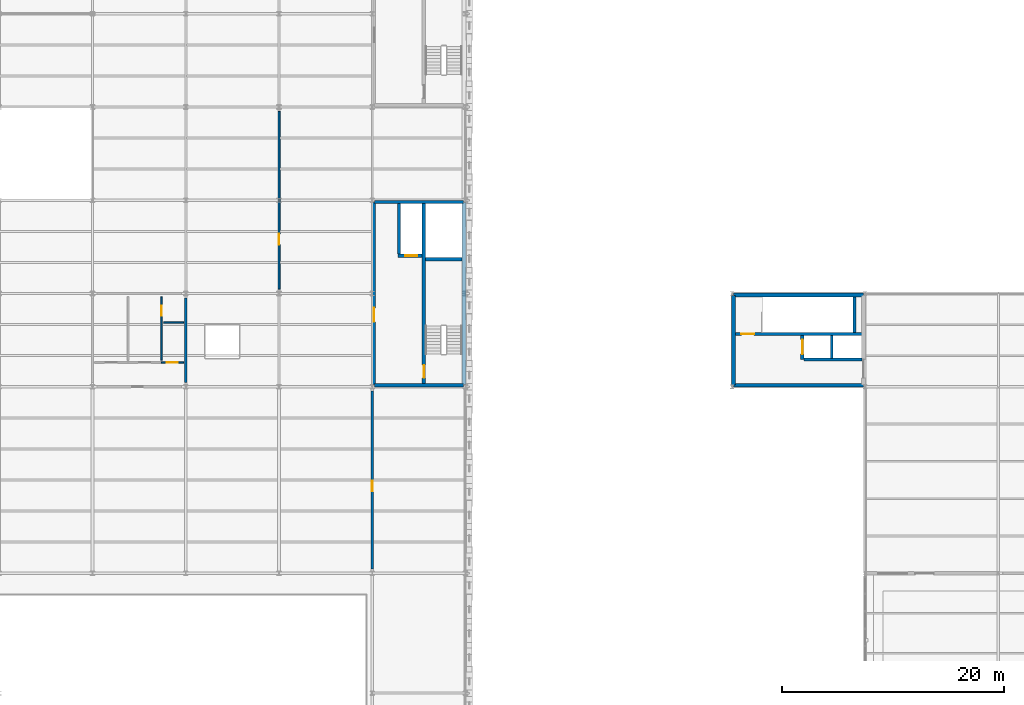
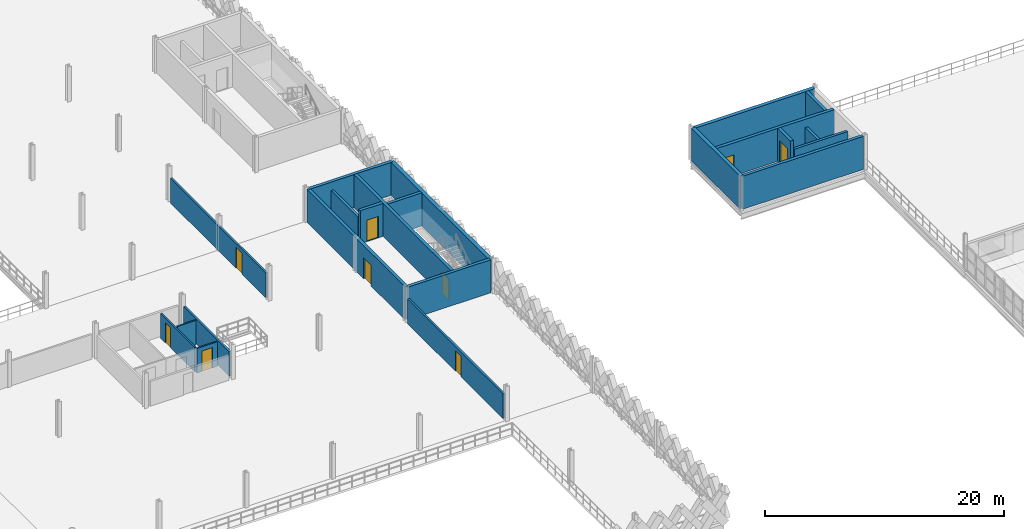
# One storey, part 60 of 74: 22 walls, 9 doors, 9 openings.
"""IFC4 building model written with IfcOpenShell, lengths in metres."""

import ifcopenshell
import ifcopenshell.guid

model = None  # the IFC model being written
_history = None  # IfcOwnerHistory: only IFC2X3 demands one
_inside = {}  # id of a spatial element -> (the spatial element, [elements in it])
_under = {}  # id of a project, library or spatial element -> (it, [spatial elements below it])
_declared = {}  # id of a project -> (the project, [libraries it declares])
_typed = {}  # id of a type object -> (the type object, [elements of that type])
_made_of = {}  # id of a material, layer set ... -> (it, [elements and type objects made of it])


def new_model(schema):
    """Start an empty IFC model of exactly this schema.

    Asked for "IFC4X3", IfcOpenShell would pick the latest addendum, in which some entities
    have other attributes; the version numbers below select the first issue.
    IFC2X3 requires an IfcOwnerHistory on every rooted entity: one is made here for all.
    """
    global model, _history
    if schema == "IFC4X3":
        model = ifcopenshell.file(schema_version=(4, 3, 0, 0))
    else:
        model = ifcopenshell.file(schema=schema)
    _inside.clear()
    _under.clear()
    _declared.clear()
    _typed.clear()
    _made_of.clear()
    _history = None
    if model.schema == "IFC2X3":
        org = make("IfcOrganization", Name="unknown")
        user = make(
            "IfcPersonAndOrganization",
            ThePerson=make("IfcPerson", FamilyName="unknown"),
            TheOrganization=org,
        )
        app = make(
            "IfcApplication",
            ApplicationDeveloper=org,
            Version="unknown",
            ApplicationFullName="unknown",
            ApplicationIdentifier="unknown",
        )
        _history = make(
            "IfcOwnerHistory",
            OwningUser=user,
            OwningApplication=app,
            ChangeAction="ADDED",
            CreationDate=0,
        )
    return model


def make(cls, **values):
    """One entity of the class cls with the attributes given. An attribute that is None is left unset."""
    return model.create_entity(
        cls, **{name: value for name, value in values.items() if value is not None}
    )


def rooted(cls, **values):
    """An entity with a GlobalId (a new one), such as an element, a storey or a relation."""
    return make(cls, GlobalId=ifcopenshell.guid.new(), OwnerHistory=_history, **values)


def si_unit(unit_type, name, prefix=None):
    """IfcSIUnit, for example si_unit("LENGTHUNIT", "METRE", prefix="MILLI")."""
    return make("IfcSIUnit", UnitType=unit_type, Prefix=prefix, Name=name)


def assignment(units):
    """IfcUnitAssignment: the units of a project."""
    return None if units is None else make("IfcUnitAssignment", Units=units)


def point(xyz):
    """IfcCartesianPoint."""
    return None if xyz is None else make("IfcCartesianPoint", Coordinates=xyz)


def direction(xyz):
    """IfcDirection."""
    return None if xyz is None else make("IfcDirection", DirectionRatios=xyz)


def frame(location, z_axis=None, x_axis=None):
    """IfcAxis2Placement3D, a coordinate frame: its origin and axes. An axis left out is left unset."""
    return make(
        "IfcAxis2Placement3D",
        Location=point(location),
        Axis=direction(z_axis),
        RefDirection=direction(x_axis),
    )


def frame_2d(location, x_axis=None):
    """IfcAxis2Placement2D, a coordinate frame in the plane: its origin and x axis."""
    return make(
        "IfcAxis2Placement2D", Location=point(location), RefDirection=direction(x_axis)
    )


def origin():
    """The frame at (0, 0, 0) with its axes left unset."""
    return frame((0.0, 0.0, 0.0))


def place(relative_to, where):
    """IfcLocalPlacement: puts the frame where relative to a parent placement (None: the world)."""
    return make(
        "IfcLocalPlacement", PlacementRelTo=relative_to, RelativePlacement=where
    )


def context(
    kind, dimensions, precision=None, world=None, true_north=None, identifier=None
):
    """IfcGeometricRepresentationContext, for example the 3D "Model" context."""
    return make(
        "IfcGeometricRepresentationContext",
        ContextIdentifier=identifier,
        ContextType=kind,
        CoordinateSpaceDimension=dimensions,
        Precision=precision,
        WorldCoordinateSystem=world,
        TrueNorth=true_north,
    )


def subcontext(parent, identifier, kind, view, scale=None):
    """IfcGeometricRepresentationSubContext, for example "Body" below "Model"."""
    return make(
        "IfcGeometricRepresentationSubContext",
        ContextIdentifier=identifier,
        ContextType=kind,
        ParentContext=parent,
        TargetScale=scale,
        TargetView=view,
    )


def project(units=None, contexts=None):
    """IfcProject with its units and contexts."""
    return rooted(
        "IfcProject",
        Name="project",
        RepresentationContexts=contexts,
        UnitsInContext=assignment(units),
    )


def spatial(cls, under=None, at=None, **own):
    """A site, building, storey or space (cls), placed at a placement, below another one or the project."""
    s = rooted(cls, ObjectPlacement=at, **own)
    if under is not None:
        _under.setdefault(under.id(), (under, []))[1].append(s)
    return s


def profile(cls, at=None, kind="AREA", **sizes):
    """A parametric profile (cls). Its sizes go by their IFC names, for example OverallWidth=200.0."""
    return make(cls, ProfileType=kind, Position=at, **sizes)


def rectangle(**sizes):
    """IfcRectangleProfileDef."""
    return profile("IfcRectangleProfileDef", **sizes)


def extrude(swept, where, along, depth):
    """IfcExtrudedAreaSolid: the profile swept, set in the frame where, extruded along a direction by depth."""
    return make(
        "IfcExtrudedAreaSolid",
        SweptArea=swept,
        Position=where,
        ExtrudedDirection=direction(along),
        Depth=depth,
    )


def shape(context_of_items, identifier, shape_type, items):
    """IfcShapeRepresentation: the items that make up one representation, for example the "Body"."""
    return make(
        "IfcShapeRepresentation",
        ContextOfItems=context_of_items,
        RepresentationIdentifier=identifier,
        RepresentationType=shape_type,
        Items=items,
    )


def material(Name=None, Category=None):
    """IfcMaterial."""
    return make("IfcMaterial", Name=Name, Category=Category)


def layer(
    of_material, thickness, ventilated=None, Name=None, Category=None, Priority=None
):
    """IfcMaterialLayer: one layer of a wall or slab, of a material (None: an air gap)."""
    return make(
        "IfcMaterialLayer",
        Material=of_material,
        LayerThickness=thickness,
        IsVentilated=ventilated,
        Name=Name,
        Category=Category,
        Priority=Priority,
    )


def layer_set(layers, Name=None):
    """IfcMaterialLayerSet."""
    return make("IfcMaterialLayerSet", MaterialLayers=layers, LayerSetName=Name)


def made_of(thing, what):
    """Note that an element or type object is made of a material, layer set ...; save() writes the relation."""
    if what is not None:
        _made_of.setdefault(what.id(), (what, []))[1].append(thing)
    return thing


def type_object(cls, material=None, **own):
    """A type object (cls), such as IfcWallType, which elements share."""
    return made_of(rooted(cls, **own), material)


def element(
    cls,
    number,
    at=None,
    inside=None,
    cuts=None,
    type_object=None,
    material=None,
    context=None,
    identifier="Body",
    shape_type=None,
    held_by="IfcProductDefinitionShape",
    body=None,
    shapes=None,
    **own,
):
    """One element of the class cls, such as IfcWall. Its Tag is "e" and its number.

    at: its placement. inside: the storey or other place that contains it. cuts: it is an
    opening in that element (IfcRelVoidsElement). A single representation is given by context,
    identifier, shape_type and body (its items); several are given by shapes. held_by: the class
    of the entity that holds the representations. save() writes the other relations.
    """
    e = rooted(cls, Tag="e%d" % number, ObjectPlacement=at, **own)
    if body is not None:
        shapes = [shape(context, identifier, shape_type, body)]
    if shapes is not None:
        e.Representation = make(held_by, Representations=shapes)
    if inside is not None:
        _inside.setdefault(inside.id(), (inside, []))[1].append(e)
    if cuts is not None:
        rooted(
            "IfcRelVoidsElement", RelatingBuildingElement=cuts, RelatedOpeningElement=e
        )
    if type_object is not None:
        _typed.setdefault(type_object.id(), (type_object, []))[1].append(e)
    return made_of(e, material)


def fill(opening, filler):
    """IfcRelFillsElement: the door or window that sits in an opening."""
    return rooted(
        "IfcRelFillsElement",
        RelatingOpeningElement=opening,
        RelatedBuildingElement=filler,
    )


def aggregate(whole, parts):
    """IfcRelAggregates: a whole, such as a stair, and the parts it consists of."""
    return rooted("IfcRelAggregates", RelatingObject=whole, RelatedObjects=parts)


def save(model, path):
    """Write the relations noted so far, then the file.

    IfcRelAggregates (storeys below a building ...), IfcRelContainedInSpatialStructure (elements
    in a storey), IfcRelDefinesByType, IfcRelAssociatesMaterial and IfcRelDeclares: one each for
    every whole, place, type object, material and project.
    """
    for whole, parts in _under.values():
        aggregate(whole, parts)
    for where, things in _inside.values():
        rooted(
            "IfcRelContainedInSpatialStructure",
            RelatedElements=things,
            RelatingStructure=where,
        )
    for kind, things in _typed.values():
        rooted("IfcRelDefinesByType", RelatedObjects=things, RelatingType=kind)
    for what, things in _made_of.values():
        rooted("IfcRelAssociatesMaterial", RelatedObjects=things, RelatingMaterial=what)
    for by, libraries in _declared.values():
        rooted("IfcRelDeclares", RelatingContext=by, RelatedDefinitions=libraries)
    model.write(path)


model = new_model("IFC4")

# Units and contexts
model_context = context("Model", 3, precision=1e-05, world=origin(), true_north=direction((0.0, 1.0)))
body_context = subcontext(model_context, "Body", "Model", "MODEL_VIEW")
ifc_project = project(units=[si_unit("LENGTHUNIT", "METRE"), si_unit("AREAUNIT", "SQUARE_METRE"), si_unit("VOLUMEUNIT", "CUBIC_METRE"), si_unit("PLANEANGLEUNIT", "RADIAN"), si_unit("MASSUNIT", "GRAM", prefix="KILO"), si_unit("THERMODYNAMICTEMPERATUREUNIT", "KELVIN"), si_unit("POWERUNIT", "WATT")], contexts=[model_context])

# Site, building, storey
site_placement = place(None, origin())
site = spatial("IfcSite", under=ifc_project, at=site_placement, CompositionType="ELEMENT")
building_placement = place(site_placement, origin())
building = spatial("IfcBuilding", under=site, at=building_placement, Name="Tembeka Court Mobility Hub", CompositionType="ELEMENT")
storey_placement = place(building_placement, frame((0.0, 0.0, 12.60009765625)))
storey = spatial("IfcBuildingStorey", under=building, at=storey_placement, Name="L03", CompositionType="ELEMENT", Elevation=12.60009765625)

# Walls
ifc_material_1 = material(Name="Concrete C40/50", Category="concrete")
ifc_layer_1 = layer(ifc_material_1, 0.25)
ifc_layer_set_1 = layer_set([ifc_layer_1], Name="Concrete C40/50")
wall_type_1 = type_object("IfcWallType", Name="WL-IW01", PredefinedType="PARTITIONING", material=ifc_layer_set_1)
wall_1_placement = place(storey_placement, frame((86.39990234375, 50.35009765625, 0.0), z_axis=(0.0, 0.0, 1.0), x_axis=(0.0, 1.0, 0.0)))
element("IfcWall", 1, at=wall_1_placement, inside=storey, type_object=wall_type_1, Name="Wall IW01 (IW-L03-0224)", PredefinedType="PARTITIONING", context=body_context, shape_type="SweptSolid", body=[
    extrude(rectangle(XDim=4.5498046875, YDim=0.25, at=frame_2d((2.27490234375, 0.0))), origin(), (0.0, 0.0, 1.0), 2.52490234375),
])
wall_2_placement = place(storey_placement, frame((122.89990234375, 40.85009765625, 0.0), z_axis=(0.0, 0.0, 1.0), x_axis=(1.0, 0.0, 0.0)))
element("IfcWall", 2, at=wall_2_placement, inside=storey, type_object=wall_type_1, Name="Wall IW01 (IW-L03-0292)", PredefinedType="PARTITIONING", context=body_context, shape_type="SweptSolid", body=[
    extrude(rectangle(XDim=5.2001953125, YDim=0.25, at=frame_2d((2.60009765625, 0.0))), origin(), (0.0, 0.0, 1.0), 2.52490234375),
])
wall_3_placement = place(storey_placement, frame((125.39990234375, 40.949951171875, 0.0), z_axis=(0.0, 0.0, 1.0), x_axis=(0.0, 1.0, 0.0)))
element("IfcWall", 3, at=wall_3_placement, inside=storey, type_object=wall_type_1, Name="Wall IW01 (IW-L03-0293)", PredefinedType="PARTITIONING", context=body_context, shape_type="SweptSolid", body=[
    extrude(rectangle(XDim=2.050048828125, YDim=0.25, at=frame_2d((1.02490234375, 0.0))), origin(), (0.0, 0.0, 1.0), 2.52490234375),
])
ifc_material_2 = material(Name="Concrete blockwork masonry", Category="masonry")
ifc_layer_2 = layer(ifc_material_2, 0.199951171875)
ifc_layer_set_2 = layer_set([ifc_layer_2], Name="Concrete blockwork masonry")
wall_type_2 = type_object("IfcWallType", Name="WL-IW02", PredefinedType="PARTITIONING", material=ifc_layer_set_2)
wall_4_placement = place(storey_placement, frame((67.199951171875, 38.800048828125, 0.0), z_axis=(0.0, 0.0, 1.0), x_axis=(0.0, 1.0, 0.0)))
element("IfcWall", 4, at=wall_4_placement, inside=storey, type_object=wall_type_2, Name="Wall IW02 (IW-L03-0379)", PredefinedType="PARTITIONING", context=body_context, shape_type="SweptSolid", body=[
    extrude(rectangle(XDim=7.599853515625, YDim=0.199951171875, at=frame_2d((3.7998046875, 0.0))), origin(), (0.0, 0.0, 1.0), 2.52490234375),
])

# Wall, opening, door
wall_5_placement = place(storey_placement, frame((84.0, 22.0, 0.0), z_axis=(0.0, 0.0, 1.0), x_axis=(0.0, 1.0, 0.0)))
wall_5 = element("IfcWall", 5, at=wall_5_placement, inside=storey, type_object=wall_type_2, Name="Wall IW02 (IW-L03-0441)", PredefinedType="PARTITIONING", context=body_context, shape_type="SweptSolid", body=[
    extrude(rectangle(XDim=16.0, YDim=0.199951171875, at=frame_2d((8.0, 0.0))), origin(), (0.0, 0.0, 1.0), 2.52490234375),
])
opening_1_placement = place(wall_5_placement, frame((7.0, 0.0, 0.0)))
opening_1 = element("IfcOpeningElement", 6, at=opening_1_placement, cuts=wall_5, Name="Opening ID01", PredefinedType="OPENING", context=body_context, shape_type="SweptSolid", body=[
    extrude(rectangle(XDim=0.949951171875, YDim=2.10009765625, at=frame_2d((0.47509765625, 1.050048828125))), frame((0.0, 0.10986328125, 0.0), z_axis=(0.0, -1.0, 0.0), x_axis=(1.0, 0.0, 0.0)), (0.0, 0.0, 1.0), 0.219970703125),
])
ifc_material_3 = material(Name="Powder-coated aluminium glazed doorset", Category="aluminium")
door_type_1 = type_object("IfcDoorType", Name="DR-ID01", OperationType="NOTDEFINED", PredefinedType="DOOR", material=ifc_material_3)
door_1_placement = place(opening_1_placement, origin())
door_1 = element("IfcDoor", 7, at=door_1_placement, inside=storey, type_object=door_type_1, Name="Door ID01-0214", OperationType="SINGLE_SWING_LEFT", OverallHeight=2.10009765625, OverallWidth=0.949951171875, PredefinedType="DOOR", context=body_context, shape_type="SweptSolid", body=[
    extrude(rectangle(XDim=0.949951171875, YDim=2.10009765625, at=frame_2d((0.47509765625, 1.050048828125))), frame((0.0, 0.02490234375, 0.0), z_axis=(0.0, -1.0, 0.0), x_axis=(1.0, 0.0, 0.0)), (0.0, 0.0, 1.0), 0.050048828125),
])
fill(opening_1, door_1)

ifc_layer_3 = layer(ifc_material_2, 0.179931640625)
ifc_layer_set_3 = layer_set([ifc_layer_3], Name="Concrete blockwork masonry")
wall_type_3 = type_object("IfcWallType", Name="WL-IW03", PredefinedType="PARTITIONING", material=ifc_layer_set_3)
wall_6_placement = place(storey_placement, frame((75.60009765625, 47.199951171875, 0.0), z_axis=(0.0, 0.0, 1.0), x_axis=(0.0, 1.0, 0.0)))
wall_6 = element("IfcWall", 8, at=wall_6_placement, inside=storey, type_object=wall_type_3, Name="Wall IW03 (IW-L03-0443)", PredefinedType="PARTITIONING", context=body_context, shape_type="SweptSolid", body=[
    extrude(rectangle(XDim=16.0, YDim=0.179931640625, at=frame_2d((8.0, 0.0))), origin(), (0.0, 0.0, 1.0), 2.52490234375),
])
opening_2_placement = place(wall_6_placement, frame((4.0, 0.0, 0.0)))
opening_2 = element("IfcOpeningElement", 9, at=opening_2_placement, cuts=wall_6, Name="Opening FD05", PredefinedType="OPENING", context=body_context, shape_type="SweptSolid", body=[
    extrude(rectangle(XDim=1.0, YDim=2.14990234375, at=frame_2d((0.5, 1.074951171875))), frame((0.0, 0.10009765625, 0.0), z_axis=(0.0, -1.0, 0.0), x_axis=(1.0, 0.0, 0.0)), (0.0, 0.0, 1.0), 0.199951171875),
])
ifc_material_4 = material(Name="Galvanised steel fire/shutter doorset", Category="steel")
door_type_2 = type_object("IfcDoorType", Name="DR-FD05", OperationType="NOTDEFINED", PredefinedType="DOOR", material=ifc_material_4)
door_2_placement = place(opening_2_placement, origin())
door_2 = element("IfcDoor", 10, at=door_2_placement, inside=storey, type_object=door_type_2, Name="Door FD05-0216", OperationType="SINGLE_SWING_LEFT", OverallHeight=2.14990234375, OverallWidth=1.0, PredefinedType="DOOR", context=body_context, shape_type="SweptSolid", body=[
    extrude(rectangle(XDim=1.0, YDim=2.14990234375, at=frame_2d((0.5, 1.074951171875))), frame((0.0, 0.02490234375, 0.0), z_axis=(0.0, -1.0, 0.0), x_axis=(1.0, 0.0, 0.0)), (0.0, 0.0, 1.0), 0.050048828125),
])
fill(opening_2, door_2)

ifc_material_5 = material(Name="Moisture-resistant gypsum partition", Category="masonry")
ifc_layer_4 = layer(ifc_material_5, 0.139892578125)
ifc_layer_set_4 = layer_set([ifc_layer_4], Name="Moisture-resistant gypsum partition")
wall_type_4 = type_object("IfcWallType", Name="WL-IW05", PredefinedType="PARTITIONING", material=ifc_layer_set_4)
wall_7_placement = place(storey_placement, frame((65.0, 40.60009765625, 0.0), z_axis=(0.0, 0.0, 1.0), x_axis=(1.0, 0.0, 0.0)))
wall_7 = element("IfcWall", 11, at=wall_7_placement, inside=storey, type_object=wall_type_4, Name="Wall IW05 (IW-L03-0382)", PredefinedType="PARTITIONING", context=body_context, shape_type="SweptSolid", body=[
    extrude(rectangle(XDim=2.0, YDim=0.139892578125, at=frame_2d((1.0, 0.0))), origin(), (0.0, 0.0, 1.0), 2.52490234375),
])
opening_3_placement = place(wall_7_placement, frame((0.5, 0.0, 0.0)))
opening_3 = element("IfcOpeningElement", 12, at=opening_3_placement, cuts=wall_7, Name="Opening ID02", PredefinedType="OPENING", context=body_context, shape_type="SweptSolid", body=[
    extrude(rectangle(XDim=1.0, YDim=2.10009765625, at=frame_2d((0.5, 1.050048828125))), frame((0.0, 0.080078125, 0.0), z_axis=(0.0, -1.0, 0.0), x_axis=(1.0, 0.0, 0.0)), (0.0, 0.0, 1.0), 0.159912109375),
])
door_type_3 = type_object("IfcDoorType", Name="DR-ID02", OperationType="NOTDEFINED", PredefinedType="DOOR", material=ifc_material_3)
door_3_placement = place(opening_3_placement, origin())
door_3 = element("IfcDoor", 13, at=door_3_placement, inside=storey, type_object=door_type_3, Name="L03 accessible unisex WC door", OperationType="SINGLE_SWING_RIGHT", OverallHeight=2.10009765625, OverallWidth=1.0, PredefinedType="DOOR", context=body_context, shape_type="SweptSolid", body=[
    extrude(rectangle(XDim=1.0, YDim=2.10009765625, at=frame_2d((0.5, 1.050048828125))), frame((0.0, 0.02490234375, 0.0), z_axis=(0.0, -1.0, 0.0), x_axis=(1.0, 0.0, 0.0)), (0.0, 0.0, 1.0), 0.050048828125),
])
fill(opening_3, door_3)

wall_8_placement = place(storey_placement, frame((65.0, 40.800048828125, 0.0), z_axis=(0.0, 0.0, 1.0), x_axis=(0.0, 1.0, 0.0)))
wall_8 = element("IfcWall", 14, at=wall_8_placement, inside=storey, type_object=wall_type_4, Name="Wall IW05 (IW-L03-0384)", PredefinedType="PARTITIONING", context=body_context, shape_type="SweptSolid", body=[
    extrude(rectangle(XDim=5.699951171875, YDim=0.139892578125, at=frame_2d((2.85009765625, 0.0))), origin(), (0.0, 0.0, 1.0), 2.52490234375),
])
opening_4_placement = place(wall_8_placement, frame((4.0, 0.0, 0.0)))
opening_4 = element("IfcOpeningElement", 15, at=opening_4_placement, cuts=wall_8, Name="Opening ID08", PredefinedType="OPENING", context=body_context, shape_type="SweptSolid", body=[
    extrude(rectangle(XDim=0.89990234375, YDim=2.050048828125, at=frame_2d((0.449951171875, 1.02490234375))), frame((0.0, 0.080078125, 0.0), z_axis=(0.0, -1.0, 0.0), x_axis=(1.0, 0.0, 0.0)), (0.0, 0.0, 1.0), 0.159912109375),
])
door_type_4 = type_object("IfcDoorType", Name="DR-ID08", OperationType="NOTDEFINED", PredefinedType="DOOR", material=ifc_material_3)
door_4_placement = place(opening_4_placement, origin())
door_4 = element("IfcDoor", 16, at=door_4_placement, inside=storey, type_object=door_type_4, Name="L03 cleaner cupboard door", OperationType="SINGLE_SWING_LEFT", OverallHeight=2.050048828125, OverallWidth=0.89990234375, PredefinedType="DOOR", context=body_context, shape_type="SweptSolid", body=[
    extrude(rectangle(XDim=0.89990234375, YDim=2.050048828125, at=frame_2d((0.449951171875, 1.02490234375))), frame((0.0, 0.02490234375, 0.0), z_axis=(0.0, -1.0, 0.0), x_axis=(1.0, 0.0, 0.0)), (0.0, 0.0, 1.0), 0.050048828125),
])
fill(opening_4, door_4)

# Walls
wall_9_placement = place(storey_placement, frame((65.199951171875, 44.199951171875, 0.0), z_axis=(0.0, 0.0, 1.0), x_axis=(1.0, 0.0, 0.0)))
element("IfcWall", 17, at=wall_9_placement, inside=storey, type_object=wall_type_4, Name="Wall IW05 (IW-L03-0385)", PredefinedType="PARTITIONING", context=body_context, shape_type="SweptSolid", body=[
    extrude(rectangle(XDim=1.800048828125, YDim=0.139892578125, at=frame_2d((0.89990234375, 0.0))), origin(), (0.0, 0.0, 1.0), 2.52490234375),
])
ifc_layer_5 = layer(ifc_material_1, 0.300048828125)
ifc_layer_set_5 = layer_set([ifc_layer_5], Name="Concrete C40/50")
wall_type_5 = type_object("IfcWallType", Name="WL-SW01", PredefinedType="SHEAR", material=ifc_layer_set_5)
for number, where, z_axis, x_axis, name in (
    (18, (84.1845703125, 38.550048828125, 0.0), (0.0, 0.0, 1.0), (1.0, 0.0, 0.0), "Wall SW01 (IW-L03-0217)"),
    (19, (84.1845703125, 55.050048828125, 0.0), (0.0, 0.0, 1.0), (1.0, 0.0, 0.0), "Wall SW01 (IW-L03-0218)"),
):
    element("IfcWall", number, at=place(storey_placement, frame(where, z_axis=z_axis, x_axis=x_axis)), inside=storey, type_object=wall_type_5, Name=name, PredefinedType="SHEAR", context=body_context, shape_type="SweptSolid", body=[
        extrude(rectangle(XDim=8.031005859375, YDim=0.300048828125, at=frame_2d((4.015625, 0.0))), origin(), (0.0, 0.0, 1.0), 3.3798828125),
    ])
wall_10_placement = place(storey_placement, frame((88.800048828125, 49.89990234375, 0.0), z_axis=(0.0, 0.0, 1.0), x_axis=(1.0, 0.0, 0.0)))
element("IfcWall", 20, at=wall_10_placement, inside=storey, type_object=wall_type_5, Name="Wall SW01 (IW-L03-0219)", PredefinedType="SHEAR", context=body_context, shape_type="SweptSolid", body=[
    extrude(rectangle(XDim=3.300048828125, YDim=0.300048828125, at=frame_2d((1.64990234375, 0.0))), origin(), (0.0, 0.0, 1.0), 3.3798828125),
])

# Wall, opening, door
wall_11_placement = place(storey_placement, frame((84.14990234375, 38.58203125, 0.0), z_axis=(0.0, 0.0, 1.0), x_axis=(0.0, 1.0, 0.0)))
wall_11 = element("IfcWall", 21, at=wall_11_placement, inside=storey, type_object=wall_type_5, Name="Wall SW01 (IW-L03-0221)", PredefinedType="SHEAR", context=body_context, shape_type="SweptSolid", body=[
    extrude(rectangle(XDim=16.43603515625, YDim=0.300048828125, at=frame_2d((8.218017578125, 0.0))), origin(), (0.0, 0.0, 1.0), 3.3798828125),
])
opening_5_placement = place(wall_11_placement, frame((5.66796875, 0.0, 0.0)))
opening_5 = element("IfcOpeningElement", 22, at=opening_5_placement, cuts=wall_11, Name="Opening FD01", PredefinedType="OPENING", context=body_context, shape_type="SweptSolid", body=[
    extrude(rectangle(XDim=1.25, YDim=2.14990234375, at=frame_2d((0.625, 1.074951171875))), frame((0.0, 0.16015625, 0.0), z_axis=(0.0, -1.0, 0.0), x_axis=(1.0, 0.0, 0.0)), (0.0, 0.0, 1.0), 0.320068359375),
])
door_type_5 = type_object("IfcDoorType", Name="DR-FD01", OperationType="NOTDEFINED", PredefinedType="DOOR", material=ifc_material_4)
door_5_placement = place(opening_5_placement, origin())
door_5 = element("IfcDoor", 23, at=door_5_placement, inside=storey, type_object=door_type_5, Name="Door FD01-0102", OperationType="SINGLE_SWING_LEFT", OverallHeight=2.14990234375, OverallWidth=1.25, PredefinedType="DOOR", context=body_context, shape_type="SweptSolid", body=[
    extrude(rectangle(XDim=1.25, YDim=2.14990234375, at=frame_2d((0.625, 1.074951171875))), frame((0.0, 0.02490234375, 0.0), z_axis=(0.0, -1.0, 0.0), x_axis=(1.0, 0.0, 0.0)), (0.0, 0.0, 1.0), 0.050048828125),
])
fill(opening_5, door_5)

wall_12_placement = place(storey_placement, frame((88.64990234375, 38.699951171875, 0.0), z_axis=(0.0, 0.0, 1.0), x_axis=(0.0, 1.0, 0.0)))
wall_12 = element("IfcWall", 24, at=wall_12_placement, inside=storey, type_object=wall_type_5, Name="Wall SW01 (IW-L03-0222)", PredefinedType="SHEAR", context=body_context, shape_type="SweptSolid", body=[
    extrude(rectangle(XDim=16.199951171875, YDim=0.300048828125, at=frame_2d((8.10009765625, 0.0))), origin(), (0.0, 0.0, 1.0), 3.3798828125),
])
opening_6_placement = place(wall_12_placement, frame((0.5, 0.0, 0.0)))
opening_6 = element("IfcOpeningElement", 25, at=opening_6_placement, cuts=wall_12, Name="Opening FD03", PredefinedType="OPENING", context=body_context, shape_type="SweptSolid", body=[
    extrude(rectangle(XDim=1.14990234375, YDim=2.14990234375, at=frame_2d((0.574951171875, 1.074951171875))), frame((0.0, 0.16015625, 0.0), z_axis=(0.0, -1.0, 0.0), x_axis=(1.0, 0.0, 0.0)), (0.0, 0.0, 1.0), 0.320068359375),
])
door_type_6 = type_object("IfcDoorType", Name="DR-FD03", OperationType="NOTDEFINED", PredefinedType="DOOR", material=ifc_material_4)
door_6_placement = place(opening_6_placement, origin())
door_6 = element("IfcDoor", 26, at=door_6_placement, inside=storey, type_object=door_type_6, Name="Door FD03-0103", OperationType="SINGLE_SWING_RIGHT", OverallHeight=2.14990234375, OverallWidth=1.14990234375, PredefinedType="DOOR", context=body_context, shape_type="SweptSolid", body=[
    extrude(rectangle(XDim=1.14990234375, YDim=2.14990234375, at=frame_2d((0.574951171875, 1.074951171875))), frame((0.0, 0.02490234375, 0.0), z_axis=(0.0, -1.0, 0.0), x_axis=(1.0, 0.0, 0.0)), (0.0, 0.0, 1.0), 0.050048828125),
])
fill(opening_6, door_6)

wall_13_placement = place(storey_placement, frame((86.300048828125, 50.199951171875, 0.0), z_axis=(0.0, 0.0, 1.0), x_axis=(1.0, 0.0, 0.0)))
wall_13 = element("IfcWall", 27, at=wall_13_placement, inside=storey, type_object=wall_type_5, Name="Wall SW01 (IW-L03-0223)", PredefinedType="SHEAR", context=body_context, shape_type="SweptSolid", body=[
    extrude(rectangle(XDim=2.199951171875, YDim=0.300048828125, at=frame_2d((1.10009765625, 0.0))), origin(), (0.0, 0.0, 1.0), 3.3798828125),
])
opening_7_placement = place(wall_13_placement, frame((0.64990234375, 0.0, 0.0)))
opening_7 = element("IfcOpeningElement", 28, at=opening_7_placement, cuts=wall_13, Name="Opening LD01", PredefinedType="OPENING", context=body_context, shape_type="SweptSolid", body=[
    extrude(rectangle(XDim=1.10009765625, YDim=2.199951171875, at=frame_2d((0.550048828125, 1.10009765625))), frame((0.0, 0.16015625, 0.0), z_axis=(0.0, -1.0, 0.0), x_axis=(1.0, 0.0, 0.0)), (0.0, 0.0, 1.0), 0.320068359375),
])
door_type_7 = type_object("IfcDoorType", Name="DR-LD01", OperationType="SLIDING_TO_LEFT", PredefinedType="DOOR", material=ifc_material_4)
door_7_placement = place(opening_7_placement, origin())
door_7 = element("IfcDoor", 29, at=door_7_placement, inside=storey, type_object=door_type_7, Name="Lift LF06 landing door L03", OperationType="SLIDING_TO_LEFT", OverallHeight=2.199951171875, OverallWidth=1.10009765625, PredefinedType="DOOR", context=body_context, shape_type="SweptSolid", body=[
    extrude(rectangle(XDim=1.10009765625, YDim=2.199951171875, at=frame_2d((0.550048828125, 1.10009765625))), frame((0.0, 0.02490234375, 0.0), z_axis=(0.0, -1.0, 0.0), x_axis=(1.0, 0.0, 0.0)), (0.0, 0.0, 1.0), 0.050048828125),
])
fill(opening_7, door_7)

# Walls
wall_14_placement = place(storey_placement, frame((116.552490234375, 38.550048828125, 0.0), z_axis=(0.0, 0.0, 1.0), x_axis=(1.0, 0.0, 0.0)))
element("IfcWall", 30, at=wall_14_placement, inside=storey, type_object=wall_type_5, Name="Wall SW01 (IW-L03-0286)", PredefinedType="SHEAR", context=body_context, shape_type="SweptSolid", body=[
    extrude(rectangle(XDim=11.695068359375, YDim=0.300048828125, at=frame_2d((5.84765625, 0.0))), origin(), (0.0, 0.0, 1.0), 3.3798828125),
])
wall_15_placement = place(storey_placement, frame((127.449951171875, 43.300048828125, 0.0), z_axis=(0.0, 0.0, 1.0), x_axis=(0.0, 1.0, 0.0)))
element("IfcWall", 31, at=wall_15_placement, inside=storey, type_object=wall_type_5, Name="Wall SW01 (IW-L03-0289)", PredefinedType="SHEAR", context=body_context, shape_type="SweptSolid", body=[
    extrude(rectangle(XDim=3.199951171875, YDim=0.300048828125, at=frame_2d((1.60009765625, 0.0))), origin(), (0.0, 0.0, 1.0), 3.3798828125),
])

# Wall, opening, door
wall_16_placement = place(storey_placement, frame((116.699951171875, 43.14990234375, 0.0), z_axis=(0.0, 0.0, 1.0), x_axis=(1.0, 0.0, 0.0)))
wall_16 = element("IfcWall", 32, at=wall_16_placement, inside=storey, type_object=wall_type_5, Name="Wall SW01 (IW-L03-0290)", PredefinedType="SHEAR", context=body_context, shape_type="SweptSolid", body=[
    extrude(rectangle(XDim=11.400146484375, YDim=0.300048828125, at=frame_2d((5.7001953125, 0.0))), origin(), (0.0, 0.0, 1.0), 3.3798828125),
])
opening_8_placement = place(wall_16_placement, frame((0.550048828125, 0.0, 0.0)))
opening_8 = element("IfcOpeningElement", 33, at=opening_8_placement, cuts=wall_16, Name="Opening FD03", PredefinedType="OPENING", context=body_context, shape_type="SweptSolid", body=[
    extrude(rectangle(XDim=1.14990234375, YDim=2.14990234375, at=frame_2d((0.574951171875, 1.074951171875))), frame((0.0, 0.16015625, 0.0), z_axis=(0.0, -1.0, 0.0), x_axis=(1.0, 0.0, 0.0)), (0.0, 0.0, 1.0), 0.320068359375),
])
door_8_placement = place(opening_8_placement, origin())
door_8 = element("IfcDoor", 34, at=door_8_placement, inside=storey, type_object=door_type_6, Name="Door FD03-0128", OperationType="SINGLE_SWING_LEFT", OverallHeight=2.14990234375, OverallWidth=1.14990234375, PredefinedType="DOOR", context=body_context, shape_type="SweptSolid", body=[
    extrude(rectangle(XDim=1.14990234375, YDim=2.14990234375, at=frame_2d((0.574951171875, 1.074951171875))), frame((0.0, 0.02490234375, 0.0), z_axis=(0.0, -1.0, 0.0), x_axis=(1.0, 0.0, 0.0)), (0.0, 0.0, 1.0), 0.050048828125),
])
fill(opening_8, door_8)

wall_17_placement = place(storey_placement, frame((122.75, 40.85009765625, 0.0), z_axis=(0.0, 0.0, 1.0), x_axis=(0.0, 1.0, 0.0)))
wall_17 = element("IfcWall", 35, at=wall_17_placement, inside=storey, type_object=wall_type_5, Name="Wall SW01 (IW-L03-0291)", PredefinedType="SHEAR", context=body_context, shape_type="SweptSolid", body=[
    extrude(rectangle(XDim=2.14990234375, YDim=0.300048828125, at=frame_2d((1.074951171875, 0.0))), origin(), (0.0, 0.0, 1.0), 3.3798828125),
])
opening_9_placement = place(wall_17_placement, frame((0.5, 0.0, 0.0)))
opening_9 = element("IfcOpeningElement", 36, at=opening_9_placement, cuts=wall_17, Name="Opening LD02", PredefinedType="OPENING", context=body_context, shape_type="SweptSolid", body=[
    extrude(rectangle(XDim=1.300048828125, YDim=2.300048828125, at=frame_2d((0.64990234375, 1.14990234375))), frame((0.0, 0.16015625, 0.0), z_axis=(0.0, -1.0, 0.0), x_axis=(1.0, 0.0, 0.0)), (0.0, 0.0, 1.0), 0.320068359375),
])
door_type_8 = type_object("IfcDoorType", Name="DR-LD02", OperationType="SLIDING_TO_LEFT", PredefinedType="DOOR", material=ifc_material_4)
door_9_placement = place(opening_9_placement, origin())
door_9 = element("IfcDoor", 37, at=door_9_placement, inside=storey, type_object=door_type_8, Name="Lift LF07 landing door L03", OperationType="SLIDING_TO_LEFT", OverallHeight=2.300048828125, OverallWidth=1.300048828125, PredefinedType="DOOR", context=body_context, shape_type="SweptSolid", body=[
    extrude(rectangle(XDim=1.300048828125, YDim=2.300048828125, at=frame_2d((0.64990234375, 1.14990234375))), frame((0.0, 0.02490234375, 0.0), z_axis=(0.0, -1.0, 0.0), x_axis=(1.0, 0.0, 0.0)), (0.0, 0.0, 1.0), 0.050048828125),
])
fill(opening_9, door_9)

# Walls
ifc_layer_6 = layer(ifc_material_1, 0.35009765625)
ifc_layer_set_6 = layer_set([ifc_layer_6], Name="Concrete C40/50")
wall_type_6 = type_object("IfcWallType", Name="WL-SW02", PredefinedType="SHEAR", material=ifc_layer_set_6)
wall_18_placement = place(storey_placement, frame((92.25, 38.58203125, 0.0), z_axis=(0.0, 0.0, 1.0), x_axis=(0.0, 1.0, 0.0)))
element("IfcWall", 38, at=wall_18_placement, inside=storey, type_object=wall_type_6, Name="Wall SW02 (IW-L03-0220)", PredefinedType="SHEAR", context=body_context, shape_type="SweptSolid", body=[
    extrude(rectangle(XDim=16.43603515625, YDim=0.35009765625, at=frame_2d((8.218017578125, 0.0))), origin(), (0.0, 0.0, 1.0), 3.3798828125),
])
wall_19_placement = place(storey_placement, frame((116.552490234375, 46.64990234375, 0.0), z_axis=(0.0, 0.0, 1.0), x_axis=(1.0, 0.0, 0.0)))
element("IfcWall", 39, at=wall_19_placement, inside=storey, type_object=wall_type_6, Name="Wall SW02 (IW-L03-0285)", PredefinedType="SHEAR", context=body_context, shape_type="SweptSolid", body=[
    extrude(rectangle(XDim=11.695068359375, YDim=0.35009765625, at=frame_2d((5.84765625, 0.0))), origin(), (0.0, 0.0, 1.0), 3.3798828125),
])
wall_20_placement = place(storey_placement, frame((116.550048828125, 38.55859375, 0.0), z_axis=(0.0, 0.0, 1.0), x_axis=(0.0, 1.0, 0.0)))
element("IfcWall", 40, at=wall_20_placement, inside=storey, type_object=wall_type_6, Name="Wall SW02 (IW-L03-0287)", PredefinedType="SHEAR", context=body_context, shape_type="SweptSolid", body=[
    extrude(rectangle(XDim=8.0830078125, YDim=0.35009765625, at=frame_2d((4.04150390625, 0.0))), origin(), (0.0, 0.0, 1.0), 3.3798828125),
])

save(model, "model.ifc")
